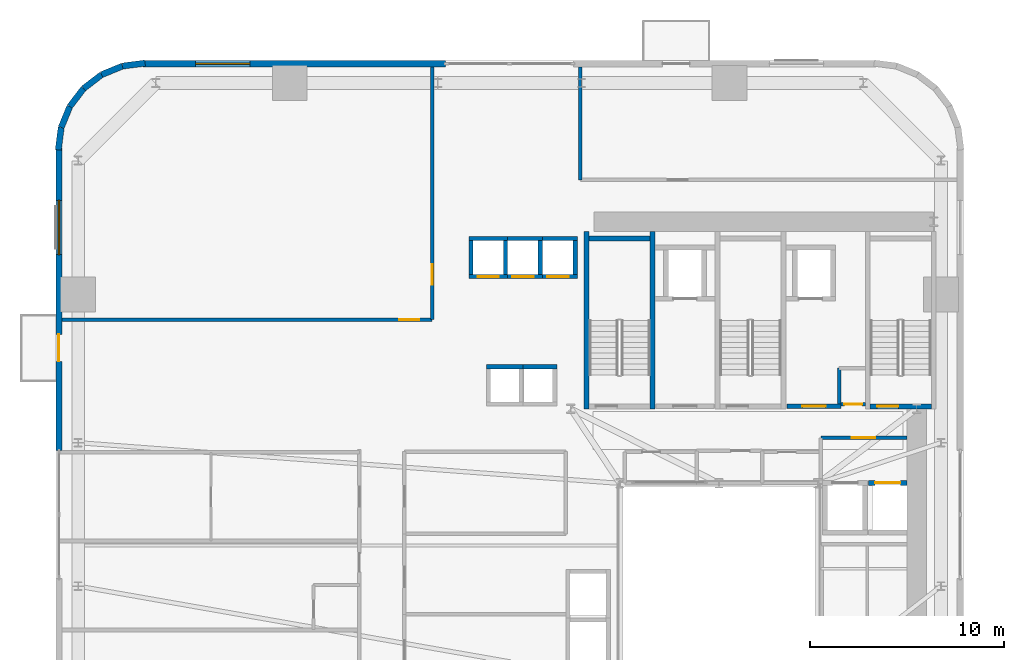
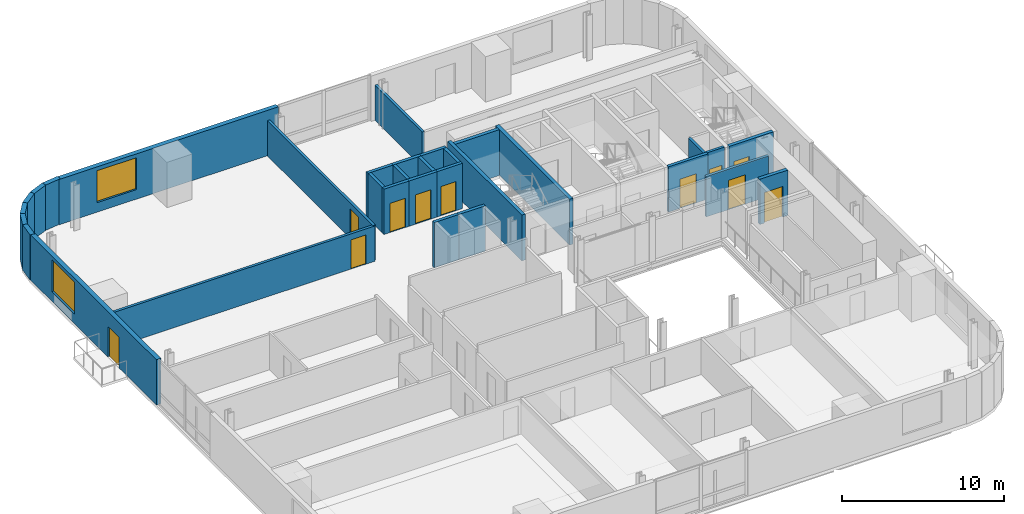
# One storey, part 8 of 13: 32 walls, 11 doors, 2 windows, 13 openings.
"""IFC4 building model written with IfcOpenShell, lengths in metres."""

import ifcopenshell
import ifcopenshell.guid

model = None  # the IFC model being written
_history = None  # IfcOwnerHistory: only IFC2X3 demands one
_inside = {}  # id of a spatial element -> (the spatial element, [elements in it])
_under = {}  # id of a project, library or spatial element -> (it, [spatial elements below it])
_declared = {}  # id of a project -> (the project, [libraries it declares])
_typed = {}  # id of a type object -> (the type object, [elements of that type])
_made_of = {}  # id of a material, layer set ... -> (it, [elements and type objects made of it])


def new_model(schema):
    """Start an empty IFC model of exactly this schema.

    Asked for "IFC4X3", IfcOpenShell would pick the latest addendum, in which some entities
    have other attributes; the version numbers below select the first issue.
    IFC2X3 requires an IfcOwnerHistory on every rooted entity: one is made here for all.
    """
    global model, _history
    if schema == "IFC4X3":
        model = ifcopenshell.file(schema_version=(4, 3, 0, 0))
    else:
        model = ifcopenshell.file(schema=schema)
    _inside.clear()
    _under.clear()
    _declared.clear()
    _typed.clear()
    _made_of.clear()
    _history = None
    if model.schema == "IFC2X3":
        org = make("IfcOrganization", Name="unknown")
        user = make(
            "IfcPersonAndOrganization",
            ThePerson=make("IfcPerson", FamilyName="unknown"),
            TheOrganization=org,
        )
        app = make(
            "IfcApplication",
            ApplicationDeveloper=org,
            Version="unknown",
            ApplicationFullName="unknown",
            ApplicationIdentifier="unknown",
        )
        _history = make(
            "IfcOwnerHistory",
            OwningUser=user,
            OwningApplication=app,
            ChangeAction="ADDED",
            CreationDate=0,
        )
    return model


def make(cls, **values):
    """One entity of the class cls with the attributes given. An attribute that is None is left unset."""
    return model.create_entity(
        cls, **{name: value for name, value in values.items() if value is not None}
    )


def rooted(cls, **values):
    """An entity with a GlobalId (a new one), such as an element, a storey or a relation."""
    return make(cls, GlobalId=ifcopenshell.guid.new(), OwnerHistory=_history, **values)


def si_unit(unit_type, name, prefix=None):
    """IfcSIUnit, for example si_unit("LENGTHUNIT", "METRE", prefix="MILLI")."""
    return make("IfcSIUnit", UnitType=unit_type, Prefix=prefix, Name=name)


def assignment(units):
    """IfcUnitAssignment: the units of a project."""
    return None if units is None else make("IfcUnitAssignment", Units=units)


def point(xyz):
    """IfcCartesianPoint."""
    return None if xyz is None else make("IfcCartesianPoint", Coordinates=xyz)


def direction(xyz):
    """IfcDirection."""
    return None if xyz is None else make("IfcDirection", DirectionRatios=xyz)


def frame(location, z_axis=None, x_axis=None):
    """IfcAxis2Placement3D, a coordinate frame: its origin and axes. An axis left out is left unset."""
    return make(
        "IfcAxis2Placement3D",
        Location=point(location),
        Axis=direction(z_axis),
        RefDirection=direction(x_axis),
    )


def frame_2d(location, x_axis=None):
    """IfcAxis2Placement2D, a coordinate frame in the plane: its origin and x axis."""
    return make(
        "IfcAxis2Placement2D", Location=point(location), RefDirection=direction(x_axis)
    )


def origin():
    """The frame at (0, 0, 0) with its axes left unset."""
    return frame((0.0, 0.0, 0.0))


def place(relative_to, where):
    """IfcLocalPlacement: puts the frame where relative to a parent placement (None: the world)."""
    return make(
        "IfcLocalPlacement", PlacementRelTo=relative_to, RelativePlacement=where
    )


def context(
    kind, dimensions, precision=None, world=None, true_north=None, identifier=None
):
    """IfcGeometricRepresentationContext, for example the 3D "Model" context."""
    return make(
        "IfcGeometricRepresentationContext",
        ContextIdentifier=identifier,
        ContextType=kind,
        CoordinateSpaceDimension=dimensions,
        Precision=precision,
        WorldCoordinateSystem=world,
        TrueNorth=true_north,
    )


def subcontext(parent, identifier, kind, view, scale=None):
    """IfcGeometricRepresentationSubContext, for example "Body" below "Model"."""
    return make(
        "IfcGeometricRepresentationSubContext",
        ContextIdentifier=identifier,
        ContextType=kind,
        ParentContext=parent,
        TargetScale=scale,
        TargetView=view,
    )


def project(units=None, contexts=None):
    """IfcProject with its units and contexts."""
    return rooted(
        "IfcProject",
        Name="project",
        RepresentationContexts=contexts,
        UnitsInContext=assignment(units),
    )


def spatial(cls, under=None, at=None, **own):
    """A site, building, storey or space (cls), placed at a placement, below another one or the project."""
    s = rooted(cls, ObjectPlacement=at, **own)
    if under is not None:
        _under.setdefault(under.id(), (under, []))[1].append(s)
    return s


def profile(cls, at=None, kind="AREA", **sizes):
    """A parametric profile (cls). Its sizes go by their IFC names, for example OverallWidth=200.0."""
    return make(cls, ProfileType=kind, Position=at, **sizes)


def rectangle(**sizes):
    """IfcRectangleProfileDef."""
    return profile("IfcRectangleProfileDef", **sizes)


def extrude(swept, where, along, depth):
    """IfcExtrudedAreaSolid: the profile swept, set in the frame where, extruded along a direction by depth."""
    return make(
        "IfcExtrudedAreaSolid",
        SweptArea=swept,
        Position=where,
        ExtrudedDirection=direction(along),
        Depth=depth,
    )


def shape(context_of_items, identifier, shape_type, items):
    """IfcShapeRepresentation: the items that make up one representation, for example the "Body"."""
    return make(
        "IfcShapeRepresentation",
        ContextOfItems=context_of_items,
        RepresentationIdentifier=identifier,
        RepresentationType=shape_type,
        Items=items,
    )


def source(mapping_origin, context_of_items, identifier, shape_type, items):
    """IfcRepresentationMap: a shape defined once, which mapped items show again and again."""
    return make(
        "IfcRepresentationMap",
        MappingOrigin=mapping_origin,
        MappedRepresentation=shape(context_of_items, identifier, shape_type, items),
    )


def transform(
    local_origin,
    x_axis=None,
    y_axis=None,
    z_axis=None,
    scale=None,
    scale2=None,
    scale3=None,
    uniform=True,
):
    """IfcCartesianTransformationOperator3D, or its non-uniform kind. x_axis, y_axis, z_axis: its Axis1, 2, 3."""
    if uniform:
        return make(
            "IfcCartesianTransformationOperator3D",
            Axis1=direction(x_axis),
            Axis2=direction(y_axis),
            LocalOrigin=point(local_origin),
            Scale=scale,
            Axis3=direction(z_axis),
        )
    return make(
        "IfcCartesianTransformationOperator3DnonUniform",
        Axis1=direction(x_axis),
        Axis2=direction(y_axis),
        LocalOrigin=point(local_origin),
        Scale=scale,
        Axis3=direction(z_axis),
        Scale2=scale2,
        Scale3=scale3,
    )


def mapped(mapping_source, mapping_target):
    """IfcMappedItem: shows the shape of a source again, moved by a transform."""
    return make(
        "IfcMappedItem", MappingSource=mapping_source, MappingTarget=mapping_target
    )


def material(Name=None, Category=None):
    """IfcMaterial."""
    return make("IfcMaterial", Name=Name, Category=Category)


def layer(
    of_material, thickness, ventilated=None, Name=None, Category=None, Priority=None
):
    """IfcMaterialLayer: one layer of a wall or slab, of a material (None: an air gap)."""
    return make(
        "IfcMaterialLayer",
        Material=of_material,
        LayerThickness=thickness,
        IsVentilated=ventilated,
        Name=Name,
        Category=Category,
        Priority=Priority,
    )


def layer_set(layers, Name=None):
    """IfcMaterialLayerSet."""
    return make("IfcMaterialLayerSet", MaterialLayers=layers, LayerSetName=Name)


def made_of(thing, what):
    """Note that an element or type object is made of a material, layer set ...; save() writes the relation."""
    if what is not None:
        _made_of.setdefault(what.id(), (what, []))[1].append(thing)
    return thing


def type_object(cls, material=None, **own):
    """A type object (cls), such as IfcWallType, which elements share."""
    return made_of(rooted(cls, **own), material)


def element(
    cls,
    number,
    at=None,
    inside=None,
    cuts=None,
    type_object=None,
    material=None,
    context=None,
    identifier="Body",
    shape_type=None,
    held_by="IfcProductDefinitionShape",
    body=None,
    shapes=None,
    **own,
):
    """One element of the class cls, such as IfcWall. Its Tag is "e" and its number.

    at: its placement. inside: the storey or other place that contains it. cuts: it is an
    opening in that element (IfcRelVoidsElement). A single representation is given by context,
    identifier, shape_type and body (its items); several are given by shapes. held_by: the class
    of the entity that holds the representations. save() writes the other relations.
    """
    e = rooted(cls, Tag="e%d" % number, ObjectPlacement=at, **own)
    if body is not None:
        shapes = [shape(context, identifier, shape_type, body)]
    if shapes is not None:
        e.Representation = make(held_by, Representations=shapes)
    if inside is not None:
        _inside.setdefault(inside.id(), (inside, []))[1].append(e)
    if cuts is not None:
        rooted(
            "IfcRelVoidsElement", RelatingBuildingElement=cuts, RelatedOpeningElement=e
        )
    if type_object is not None:
        _typed.setdefault(type_object.id(), (type_object, []))[1].append(e)
    return made_of(e, material)


def fill(opening, filler):
    """IfcRelFillsElement: the door or window that sits in an opening."""
    return rooted(
        "IfcRelFillsElement",
        RelatingOpeningElement=opening,
        RelatedBuildingElement=filler,
    )


def aggregate(whole, parts):
    """IfcRelAggregates: a whole, such as a stair, and the parts it consists of."""
    return rooted("IfcRelAggregates", RelatingObject=whole, RelatedObjects=parts)


def save(model, path):
    """Write the relations noted so far, then the file.

    IfcRelAggregates (storeys below a building ...), IfcRelContainedInSpatialStructure (elements
    in a storey), IfcRelDefinesByType, IfcRelAssociatesMaterial and IfcRelDeclares: one each for
    every whole, place, type object, material and project.
    """
    for whole, parts in _under.values():
        aggregate(whole, parts)
    for where, things in _inside.values():
        rooted(
            "IfcRelContainedInSpatialStructure",
            RelatedElements=things,
            RelatingStructure=where,
        )
    for kind, things in _typed.values():
        rooted("IfcRelDefinesByType", RelatedObjects=things, RelatingType=kind)
    for what, things in _made_of.values():
        rooted("IfcRelAssociatesMaterial", RelatedObjects=things, RelatingMaterial=what)
    for by, libraries in _declared.values():
        rooted("IfcRelDeclares", RelatingContext=by, RelatedDefinitions=libraries)
    model.write(path)


model = new_model("IFC4")

# Units and contexts
model_context = context("Model", 3, precision=1e-05, world=origin(), true_north=direction((0.0, 1.0)))
body_context = subcontext(model_context, "Body", "Model", "MODEL_VIEW")
ifc_project = project(units=[si_unit("LENGTHUNIT", "METRE"), si_unit("AREAUNIT", "SQUARE_METRE"), si_unit("VOLUMEUNIT", "CUBIC_METRE"), si_unit("PLANEANGLEUNIT", "RADIAN"), si_unit("MASSUNIT", "GRAM", prefix="KILO")], contexts=[model_context])

# Site, building, storey
site_placement = place(None, origin())
site = spatial("IfcSite", under=ifc_project, at=site_placement, CompositionType="ELEMENT")
building_placement = place(site_placement, origin())
building = spatial("IfcBuilding", under=site, at=building_placement, Name="Vardaveli Station Tower", CompositionType="ELEMENT")
storey_placement = place(building_placement, frame((0.0, 0.0, 34.89990234375)))
storey = spatial("IfcBuildingStorey", under=building, at=storey_placement, Name="L08", CompositionType="ELEMENT", Elevation=34.89990234375)

# Wall, opening, window
ifc_material_1 = material(Name="Precast concrete C45/55", Category="concrete")
ifc_layer_1 = layer(ifc_material_1, 0.320068359375, Name="Precast concrete C45/55")
ifc_layer_set_1 = layer_set([ifc_layer_1], Name="Precast concrete C45/55")
wall_type_1 = type_object("IfcWallType", Name="WAL-EXT-STONE-320", PredefinedType="SOLIDWALL", material=ifc_layer_set_1)
shared_shape_1 = source(origin(), body_context, "Body", "SweptSolid", [
    extrude(rectangle(XDim=15.599853515625, YDim=0.320068359375, at=frame_2d((7.7998046875, 0.0))), origin(), (0.0, 0.0, 1.0), 3.41015625),
])
wall_1_placement = place(storey_placement, frame((22.199951171875, 48.43994140625, 0.0), z_axis=(0.0, 0.0, 1.0), x_axis=(-1.0, 0.0, 0.0)))
wall_1 = element("IfcWall", 1, at=wall_1_placement, inside=storey, type_object=wall_type_1, Name="EW-L08-N2", PredefinedType="SOLIDWALL", context=body_context, shape_type="MappedRepresentation", body=[
    mapped(shared_shape_1, transform((0.0, 0.0, 0.0), scale=1.0)),
])
shared_shape_2 = source(origin(), body_context, "Body", "SweptSolid", [
    extrude(rectangle(XDim=2.800048828125, YDim=2.39990234375, at=frame_2d((1.39990234375, 1.199951171875))), frame((0.0, 0.169921875, 0.0), z_axis=(0.0, -1.0, 0.0), x_axis=(1.0, 0.0, 0.0)), (0.0, 0.0, 1.0), 0.340087890625),
])
opening_1_placement = place(wall_1_placement, frame((10.094970703125, 0.0, 0.719970703125)))
opening_1 = element("IfcOpeningElement", 2, at=opening_1_placement, cuts=wall_1, Name="Opening W-04", PredefinedType="OPENING", context=body_context, shape_type="MappedRepresentation", body=[
    mapped(shared_shape_2, transform((0.0, 0.0, 0.0), scale=1.0)),
])
ifc_material_2 = material(Name="Low-E solar-control glass", Category="glass")
window_type = type_object("IfcWindowType", Name="WIN-SUITE-2800x2400", PartitioningType="SINGLE_PANEL", PredefinedType="WINDOW", material=ifc_material_2)
shared_shape_3 = source(origin(), body_context, "Body", "SweptSolid", [
    extrude(rectangle(XDim=2.800048828125, YDim=2.39990234375, at=frame_2d((1.39990234375, 1.199951171875))), frame((0.0, 0.030029296875, 0.0), z_axis=(0.0, -1.0, 0.0), x_axis=(1.0, 0.0, 0.0)), (0.0, 0.0, 1.0), 0.06005859375),
])
window_1_placement = place(opening_1_placement, origin())
window_1 = element("IfcWindow", 3, at=window_1_placement, inside=storey, type_object=window_type, Name="WN-L08-N2", OverallHeight=2.39990234375, OverallWidth=2.800048828125, PartitioningType="SINGLE_PANEL", PredefinedType="WINDOW", context=body_context, shape_type="MappedRepresentation", body=[
    mapped(shared_shape_3, transform((0.0, 0.0, 0.0), scale=1.0)),
])
fill(opening_1, window_1)

# Wall, openings, door, window
shared_shape_4 = source(origin(), body_context, "Body", "SweptSolid", [
    extrude(rectangle(XDim=15.60009765625, YDim=0.320068359375, at=frame_2d((7.800048828125, 0.0))), origin(), (0.0, 0.0, 1.0), 3.41015625),
])
wall_2_placement = place(storey_placement, frame((2.260009765625, 44.10009765625, 0.0), z_axis=(0.0, 0.0, 1.0), x_axis=(0.0, -1.0, 0.0)))
wall_2 = element("IfcWall", 4, at=wall_2_placement, inside=storey, type_object=wall_type_1, Name="EW-L08-W1", PredefinedType="SOLIDWALL", context=body_context, shape_type="MappedRepresentation", body=[
    mapped(shared_shape_4, transform((0.0, 0.0, 0.0), scale=1.0)),
])
shared_shape_5 = source(origin(), body_context, "Body", "SweptSolid", [
    extrude(rectangle(XDim=1.39990234375, YDim=2.300048828125, at=frame_2d((0.699951171875, 1.14990234375))), frame((0.0, 0.169921875, 0.0), z_axis=(0.0, -1.0, 0.0), x_axis=(1.0, 0.0, 0.0)), (0.0, 0.0, 1.0), 0.340087890625),
])
opening_2_placement = place(wall_2_placement, frame((9.6103515625, 0.0, 0.0)))
opening_2 = element("IfcOpeningElement", 5, at=opening_2_placement, cuts=wall_2, Name="Opening D-09", PredefinedType="OPENING", context=body_context, shape_type="MappedRepresentation", body=[
    mapped(shared_shape_5, transform((0.0, 0.0, 0.0), scale=1.0)),
])
opening_3_placement = place(wall_2_placement, frame((2.705078125, 0.0, 0.719970703125)))
opening_3 = element("IfcOpeningElement", 6, at=opening_3_placement, cuts=wall_2, Name="Opening W-04", PredefinedType="OPENING", context=body_context, shape_type="MappedRepresentation", body=[
    mapped(shared_shape_2, transform((0.0, 0.0, 0.0), scale=1.0)),
])
ifc_material_3 = material(Name="Thermally broken aluminium glass", Category="aluminium")
door_type_1 = type_object("IfcDoorType", Name="DR-LOG-1400x2300", OperationType="DOUBLE_DOOR_SLIDING", PredefinedType="DOOR", material=ifc_material_3)
shared_shape_6 = source(origin(), body_context, "Body", "SweptSolid", [
    extrude(rectangle(XDim=1.39990234375, YDim=2.300048828125, at=frame_2d((0.699951171875, 1.14990234375))), frame((0.0, 0.02490234375, 0.0), z_axis=(0.0, -1.0, 0.0), x_axis=(1.0, 0.0, 0.0)), (0.0, 0.0, 1.0), 0.050048828125),
])
door_1_placement = place(opening_2_placement, frame((1.39990234375, 0.0, 0.0), z_axis=(0.0, 0.0, 1.0), x_axis=(-1.0, 0.0, 0.0)))
door_1 = element("IfcDoor", 7, at=door_1_placement, inside=storey, type_object=door_type_1, Name="DLG-L08-W", OperationType="DOUBLE_DOOR_SLIDING", OverallHeight=2.300048828125, OverallWidth=1.39990234375, PredefinedType="DOOR", context=body_context, shape_type="MappedRepresentation", body=[
    mapped(shared_shape_6, transform((0.0, 0.0, 0.0), scale=1.0)),
])
fill(opening_2, door_1)
window_2_placement = place(opening_3_placement, origin())
window_2 = element("IfcWindow", 8, at=window_2_placement, inside=storey, type_object=window_type, Name="WN-L08-W1", OverallHeight=2.39990234375, OverallWidth=2.800048828125, PartitioningType="SINGLE_PANEL", PredefinedType="WINDOW", context=body_context, shape_type="MappedRepresentation", body=[
    mapped(shared_shape_3, transform((0.0, 0.0, 0.0), scale=1.0)),
])
fill(opening_3, window_2)

# Walls
shared_shape_7 = source(origin(), body_context, "Body", "SweptSolid", [
    extrude(rectangle(XDim=1.1689453125, YDim=0.320068359375, at=frame_2d((0.58447265625, 0.0))), origin(), (0.0, 0.0, 1.0), 3.41015625),
])
wall_3_placement = place(storey_placement, frame((3.53125, 47.1689453125, 0.0), z_axis=(0.0, 0.0, 1.0), x_axis=(-0.608387696831, -0.793639975269, 0.0)))
element("IfcWall", 9, at=wall_3_placement, inside=storey, type_object=wall_type_1, Name="EW-L08-CR4-4", PredefinedType="SOLIDWALL", context=body_context, shape_type="MappedRepresentation", body=[
    mapped(shared_shape_7, transform((0.0, 0.0, 0.0), scale=1.0)),
])
shared_shape_8 = source(origin(), body_context, "Body", "SweptSolid", [
    extrude(rectangle(XDim=1.168701171875, YDim=0.320068359375, at=frame_2d((0.58447265625, 0.0))), origin(), (0.0, 0.0, 1.0), 3.41015625),
])
wall_4_placement = place(storey_placement, frame((4.458740234375, 47.8798828125, 0.0), z_axis=(0.0, 0.0, 1.0), x_axis=(-0.793663520347, -0.608356981114, 0.0)))
element("IfcWall", 10, at=wall_4_placement, inside=storey, type_object=wall_type_1, Name="EW-L08-CR4-3", PredefinedType="SOLIDWALL", context=body_context, shape_type="MappedRepresentation", body=[
    mapped(shared_shape_8, transform((0.0, 0.0, 0.0), scale=1.0)),
])
shared_shape_9 = source(origin(), body_context, "Body", "SweptSolid", [
    extrude(rectangle(XDim=1.17041015625, YDim=0.320068359375, at=frame_2d((0.585205078125, 0.0))), origin(), (0.0, 0.0, 1.0), 3.41015625),
])
for number, where, z_axis, x_axis, name in (
    (11, (6.700439453125, 48.4755859375, 0.0), (0.0, 0.0, 1.0), (-0.991735963317, -0.128295670475, 0.0), "EW-L08-CR4-1"),
    (12, (2.37451171875, 45.16015625, 0.0), (0.0, 0.0, 1.0), (-0.128295670475, -0.991735963317, 0.0), "EW-L08-CR4-6"),
):
    element("IfcWall", number, at=place(storey_placement, frame(where, z_axis=z_axis, x_axis=x_axis)), inside=storey, type_object=wall_type_1, Name=name, PredefinedType="SOLIDWALL", context=body_context, shape_type="MappedRepresentation", body=[
        mapped(shared_shape_9, transform((0.0, 0.0, 0.0), scale=1.0)),
    ])
shared_shape_10 = source(origin(), body_context, "Body", "SweptSolid", [
    extrude(rectangle(XDim=1.169189453125, YDim=0.320068359375, at=frame_2d((0.58447265625, 0.0))), origin(), (0.0, 0.0, 1.0), 3.41015625),
])
for number, where, z_axis, x_axis, name in (
    (13, (5.539794921875, 48.325439453125, 0.0), (0.0, 0.0, 1.0), (-0.924552646638, -0.381054331552, 0.0), "EW-L08-CR4-2"),
    (14, (2.820068359375, 46.2412109375, 0.0), (0.0, 0.0, 1.0), (-0.381054331552, -0.924552646638, 0.0), "EW-L08-CR4-5"),
):
    element("IfcWall", number, at=place(storey_placement, frame(where, z_axis=z_axis, x_axis=x_axis)), inside=storey, type_object=wall_type_1, Name=name, PredefinedType="SOLIDWALL", context=body_context, shape_type="MappedRepresentation", body=[
        mapped(shared_shape_10, transform((0.0, 0.0, 0.0), scale=1.0)),
    ])
ifc_material_4 = material(Name="Concrete C40/50", Category="concrete")
ifc_layer_2 = layer(ifc_material_4, 0.25, Name="Concrete C40/50")
ifc_layer_set_2 = layer_set([ifc_layer_2], Name="Concrete C40/50")
wall_type_2 = type_object("IfcWallType", Name="WAL-SHAFT-250", PredefinedType="SOLIDWALL", material=ifc_layer_set_2)
shared_shape_11 = source(origin(), body_context, "Body", "SweptSolid", [
    extrude(rectangle(XDim=9.150146484375, YDim=0.25, at=frame_2d((4.5751953125, 0.0))), origin(), (0.0, 0.0, 1.0), 3.4501953125),
])
for number, where, z_axis, x_axis, name in (
    (15, (29.47509765625, 30.64990234375, 0.0), (0.0, 0.0, 1.0), (0.0, 1.0, 0.0), "W-L08-ST-1W"),
    (16, (32.875, 30.64990234375, 0.0), (0.0, 0.0, 1.0), (0.0, 1.0, 0.0), "W-L08-ST-1E"),
):
    element("IfcWall", number, at=place(storey_placement, frame(where, z_axis=z_axis, x_axis=x_axis)), inside=storey, type_object=wall_type_2, Name=name, PredefinedType="SOLIDWALL", context=body_context, shape_type="MappedRepresentation", body=[
        mapped(shared_shape_11, transform((0.0, 0.0, 0.0), scale=1.0)),
    ])
shared_shape_12 = source(origin(), body_context, "Body", "SweptSolid", [
    extrude(rectangle(XDim=3.14990234375, YDim=0.25, at=frame_2d((1.574951171875, 0.0))), origin(), (0.0, 0.0, 1.0), 3.4501953125),
])
wall_5_placement = place(storey_placement, frame((29.60009765625, 39.425048828125, 0.0), z_axis=(0.0, 0.0, 1.0), x_axis=(1.0, 0.0, 0.0)))
element("IfcWall", 17, at=wall_5_placement, inside=storey, type_object=wall_type_2, Name="W-L08-ST-1N", PredefinedType="SOLIDWALL", context=body_context, shape_type="MappedRepresentation", body=[
    mapped(shared_shape_12, transform((0.0, 0.0, 0.0), scale=1.0)),
])

# Wall, opening, door
wall_6_placement = place(storey_placement, frame((44.10009765625, 30.77490234375, 0.0), z_axis=(0.0, 0.0, 1.0), x_axis=(1.0, 0.0, 0.0)))
wall_6 = element("IfcWall", 18, at=wall_6_placement, inside=storey, type_object=wall_type_2, Name="W-L08-ST-3S", PredefinedType="SOLIDWALL", context=body_context, shape_type="MappedRepresentation", body=[
    mapped(shared_shape_12, transform((0.0, 0.0, 0.0), scale=1.0)),
])
shared_shape_13 = source(origin(), body_context, "Body", "SweptSolid", [
    extrude(rectangle(XDim=1.10009765625, YDim=2.199951171875, at=frame_2d((0.550048828125, 1.10009765625))), frame((0.0, 0.135009765625, 0.0), z_axis=(0.0, -1.0, 0.0), x_axis=(1.0, 0.0, 0.0)), (0.0, 0.0, 1.0), 0.27001953125),
])
opening_4_placement = place(wall_6_placement, frame((0.35009765625, 0.0, 0.0)))
opening_4 = element("IfcOpeningElement", 19, at=opening_4_placement, cuts=wall_6, Name="Opening D-04", PredefinedType="OPENING", context=body_context, shape_type="MappedRepresentation", body=[
    mapped(shared_shape_13, transform((0.0, 0.0, 0.0), scale=1.0)),
])
ifc_material_5 = material(Name="Steel smokeproof fire doorset", Category="steel")
door_type_2 = type_object("IfcDoorType", Name="DR-ST-1100x2200", OperationType="NOTDEFINED", PredefinedType="DOOR", material=ifc_material_5)
shared_shape_14 = source(origin(), body_context, "Body", "SweptSolid", [
    extrude(rectangle(XDim=1.10009765625, YDim=2.199951171875, at=frame_2d((0.550048828125, 1.10009765625))), frame((0.0, 0.02490234375, 0.0), z_axis=(0.0, -1.0, 0.0), x_axis=(1.0, 0.0, 0.0)), (0.0, 0.0, 1.0), 0.050048828125),
])
door_2_placement = place(opening_4_placement, origin())
door_2 = element("IfcDoor", 20, at=door_2_placement, inside=storey, type_object=door_type_2, Name="DST-3-L08", OperationType="SINGLE_SWING_LEFT", OverallHeight=2.199951171875, OverallWidth=1.10009765625, PredefinedType="DOOR", context=body_context, shape_type="MappedRepresentation", body=[
    mapped(shared_shape_14, transform((0.0, 0.0, 0.0), scale=1.0)),
])
fill(opening_4, door_2)

ifc_layer_3 = layer(ifc_material_4, 0.219970703125, Name="Concrete C40/50")
ifc_layer_set_3 = layer_set([ifc_layer_3], Name="Concrete C40/50")
wall_type_3 = type_object("IfcWallType", Name="WAL-FFLOBBY-220", PredefinedType="SOLIDWALL", material=ifc_layer_set_3)
shared_shape_15 = source(origin(), body_context, "Body", "SweptSolid", [
    extrude(rectangle(XDim=2.800048828125, YDim=0.219970703125, at=frame_2d((1.39990234375, 0.0))), origin(), (0.0, 0.0, 1.0), 3.41015625),
])
wall_7_placement = place(storey_placement, frame((39.800048828125, 30.780029296875, 0.0), z_axis=(0.0, 0.0, 1.0), x_axis=(1.0, 0.0, 0.0)))
wall_7 = element("IfcWall", 21, at=wall_7_placement, inside=storey, type_object=wall_type_3, Name="W-L08-FFL2S", PredefinedType="SOLIDWALL", context=body_context, shape_type="MappedRepresentation", body=[
    mapped(shared_shape_15, transform((0.0, 0.0, 0.0), scale=1.0)),
])
shared_shape_16 = source(origin(), body_context, "Body", "SweptSolid", [
    extrude(rectangle(XDim=1.199951171875, YDim=2.199951171875, at=frame_2d((0.60009765625, 1.10009765625))), frame((0.0, 0.1201171875, 0.0), z_axis=(0.0, -1.0, 0.0), x_axis=(1.0, 0.0, 0.0)), (0.0, 0.0, 1.0), 0.239990234375),
])
opening_5_placement = place(wall_7_placement, frame((0.800048828125, 0.0, 0.0)))
opening_5 = element("IfcOpeningElement", 22, at=opening_5_placement, cuts=wall_7, Name="Opening D-03", PredefinedType="OPENING", context=body_context, shape_type="MappedRepresentation", body=[
    mapped(shared_shape_16, transform((0.0, 0.0, 0.0), scale=1.0)),
])
door_type_3 = type_object("IfcDoorType", Name="DR-FFL-1200x2200", OperationType="NOTDEFINED", PredefinedType="DOOR", material=ifc_material_5)
shared_shape_17 = source(origin(), body_context, "Body", "SweptSolid", [
    extrude(rectangle(XDim=1.199951171875, YDim=2.199951171875, at=frame_2d((0.60009765625, 1.10009765625))), frame((0.0, 0.02490234375, 0.0), z_axis=(0.0, -1.0, 0.0), x_axis=(1.0, 0.0, 0.0)), (0.0, 0.0, 1.0), 0.050048828125),
])
door_3_placement = place(opening_5_placement, origin())
door_3 = element("IfcDoor", 23, at=door_3_placement, inside=storey, type_object=door_type_3, Name="DFFL2-L08", OperationType="SINGLE_SWING_RIGHT", OverallHeight=2.199951171875, OverallWidth=1.199951171875, PredefinedType="DOOR", context=body_context, shape_type="MappedRepresentation", body=[
    mapped(shared_shape_17, transform((0.0, 0.0, 0.0), scale=1.0)),
])
fill(opening_5, door_3)

shared_shape_18 = source(origin(), body_context, "Body", "SweptSolid", [
    extrude(rectangle(XDim=1.989990234375, YDim=0.219970703125, at=frame_2d((0.9951171875, 0.0))), origin(), (0.0, 0.0, 1.0), 3.41015625),
])
wall_8_placement = place(storey_placement, frame((23.405029296875, 37.465087890625, 0.0), z_axis=(0.0, 0.0, 1.0), x_axis=(1.0, 0.0, 0.0)))
wall_8 = element("IfcWall", 24, at=wall_8_placement, inside=storey, type_object=wall_type_3, Name="SHW-HL1-01-L08-S", PredefinedType="SOLIDWALL", context=body_context, shape_type="MappedRepresentation", body=[
    mapped(shared_shape_18, transform((0.0, 0.0, 0.0), scale=1.0)),
])
shared_shape_19 = source(origin(), body_context, "Body", "SweptSolid", [
    extrude(rectangle(XDim=1.10009765625, YDim=2.199951171875, at=frame_2d((0.550048828125, 1.10009765625))), frame((0.0, 0.1201171875, 0.0), z_axis=(0.0, -1.0, 0.0), x_axis=(1.0, 0.0, 0.0)), (0.0, 0.0, 1.0), 0.239990234375),
])
opening_6_placement = place(wall_8_placement, frame((0.445068359375, 0.0, 0.0)))
opening_6 = element("IfcOpeningElement", 25, at=opening_6_placement, cuts=wall_8, Name="Opening LD-01", PredefinedType="OPENING", context=body_context, shape_type="MappedRepresentation", body=[
    mapped(shared_shape_19, transform((0.0, 0.0, 0.0), scale=1.0)),
])
ifc_material_6 = material(Name="Brushed stainless steel", Category="steel")
door_type_4 = type_object("IfcDoorType", Name="DR-LD-1100x2200", OperationType="DOUBLE_DOOR_SLIDING", PredefinedType="DOOR", material=ifc_material_6)
door_4_placement = place(opening_6_placement, origin())
door_4 = element("IfcDoor", 26, at=door_4_placement, inside=storey, type_object=door_type_4, Name="LD-HL1-01-L08", OperationType="DOUBLE_DOOR_SLIDING", OverallHeight=2.199951171875, OverallWidth=1.10009765625, PredefinedType="DOOR", context=body_context, shape_type="MappedRepresentation", body=[
    mapped(shared_shape_14, transform((0.0, 0.0, 0.0), scale=1.0)),
])
fill(opening_6, door_4)

# Wall
wall_9_placement = place(storey_placement, frame((23.405029296875, 39.43505859375, 0.0), z_axis=(0.0, 0.0, 1.0), x_axis=(1.0, 0.0, 0.0)))
element("IfcWall", 27, at=wall_9_placement, inside=storey, type_object=wall_type_3, Name="SHW-HL1-01-L08-N", PredefinedType="SOLIDWALL", context=body_context, shape_type="MappedRepresentation", body=[
    mapped(shared_shape_18, transform((0.0, 0.0, 0.0), scale=1.0)),
])

# Wall, opening, door
wall_10_placement = place(storey_placement, frame((25.205078125, 37.465087890625, 0.0), z_axis=(0.0, 0.0, 1.0), x_axis=(1.0, 0.0, 0.0)))
wall_10 = element("IfcWall", 28, at=wall_10_placement, inside=storey, type_object=wall_type_3, Name="SHW-HL1-02-L08-S", PredefinedType="SOLIDWALL", context=body_context, shape_type="MappedRepresentation", body=[
    mapped(shared_shape_18, transform((0.0, 0.0, 0.0), scale=1.0)),
])
opening_7_placement = place(wall_10_placement, frame((0.445068359375, 0.0, 0.0)))
opening_7 = element("IfcOpeningElement", 29, at=opening_7_placement, cuts=wall_10, Name="Opening LD-01", PredefinedType="OPENING", context=body_context, shape_type="MappedRepresentation", body=[
    mapped(shared_shape_19, transform((0.0, 0.0, 0.0), scale=1.0)),
])
door_5_placement = place(opening_7_placement, origin())
door_5 = element("IfcDoor", 30, at=door_5_placement, inside=storey, type_object=door_type_4, Name="LD-HL1-02-L08", OperationType="DOUBLE_DOOR_SLIDING", OverallHeight=2.199951171875, OverallWidth=1.10009765625, PredefinedType="DOOR", context=body_context, shape_type="MappedRepresentation", body=[
    mapped(shared_shape_14, transform((0.0, 0.0, 0.0), scale=1.0)),
])
fill(opening_7, door_5)

# Walls
wall_11_placement = place(storey_placement, frame((25.205078125, 39.43505859375, 0.0), z_axis=(0.0, 0.0, 1.0), x_axis=(1.0, 0.0, 0.0)))
element("IfcWall", 31, at=wall_11_placement, inside=storey, type_object=wall_type_3, Name="SHW-HL1-02-L08-N", PredefinedType="SOLIDWALL", context=body_context, shape_type="MappedRepresentation", body=[
    mapped(shared_shape_18, transform((0.0, 0.0, 0.0), scale=1.0)),
])
shared_shape_20 = source(origin(), body_context, "Body", "SweptSolid", [
    extrude(rectangle(XDim=1.75, YDim=0.219970703125, at=frame_2d((0.875, 0.0))), origin(), (0.0, 0.0, 1.0), 3.41015625),
])
for number, where, z_axis, x_axis, name in (
    (32, (23.514892578125, 37.574951171875, 0.0), (0.0, 0.0, 1.0), (0.0, 1.0, 0.0), "SHW-HL1-01-L08-W"),
    (33, (25.284912109375, 37.574951171875, 0.0), (0.0, 0.0, 1.0), (0.0, 1.0, 0.0), "SHW-HL1-01-L08-E"),
    (34, (27.0849609375, 37.574951171875, 0.0), (0.0, 0.0, 1.0), (0.0, 1.0, 0.0), "SHW-HL1-02-L08-E"),
    (35, (28.885009765625, 37.574951171875, 0.0), (0.0, 0.0, 1.0), (0.0, 1.0, 0.0), "SHW-HL1-03-L08-E"),
):
    element("IfcWall", number, at=place(storey_placement, frame(where, z_axis=z_axis, x_axis=x_axis)), inside=storey, type_object=wall_type_3, Name=name, PredefinedType="SOLIDWALL", context=body_context, shape_type="MappedRepresentation", body=[
        mapped(shared_shape_20, transform((0.0, 0.0, 0.0), scale=1.0)),
    ])

# Wall, opening, door
shared_shape_21 = source(origin(), body_context, "Body", "SweptSolid", [
    extrude(rectangle(XDim=1.990234375, YDim=0.219970703125, at=frame_2d((0.9951171875, 0.0))), origin(), (0.0, 0.0, 1.0), 3.41015625),
])
wall_12_placement = place(storey_placement, frame((27.0048828125, 37.465087890625, 0.0), z_axis=(0.0, 0.0, 1.0), x_axis=(1.0, 0.0, 0.0)))
wall_12 = element("IfcWall", 36, at=wall_12_placement, inside=storey, type_object=wall_type_3, Name="SHW-HL1-03-L08-S", PredefinedType="SOLIDWALL", context=body_context, shape_type="MappedRepresentation", body=[
    mapped(shared_shape_21, transform((0.0, 0.0, 0.0), scale=1.0)),
])
opening_8_placement = place(wall_12_placement, frame((0.445068359375, 0.0, 0.0)))
opening_8 = element("IfcOpeningElement", 37, at=opening_8_placement, cuts=wall_12, Name="Opening LD-01", PredefinedType="OPENING", context=body_context, shape_type="MappedRepresentation", body=[
    mapped(shared_shape_19, transform((0.0, 0.0, 0.0), scale=1.0)),
])
door_6_placement = place(opening_8_placement, origin())
door_6 = element("IfcDoor", 38, at=door_6_placement, inside=storey, type_object=door_type_4, Name="LD-HL1-03-L08", OperationType="DOUBLE_DOOR_SLIDING", OverallHeight=2.199951171875, OverallWidth=1.10009765625, PredefinedType="DOOR", context=body_context, shape_type="MappedRepresentation", body=[
    mapped(shared_shape_14, transform((0.0, 0.0, 0.0), scale=1.0)),
])
fill(opening_8, door_6)

# Walls
wall_13_placement = place(storey_placement, frame((27.0048828125, 39.43505859375, 0.0), z_axis=(0.0, 0.0, 1.0), x_axis=(1.0, 0.0, 0.0)))
element("IfcWall", 39, at=wall_13_placement, inside=storey, type_object=wall_type_3, Name="SHW-HL1-03-L08-N", PredefinedType="SOLIDWALL", context=body_context, shape_type="MappedRepresentation", body=[
    mapped(shared_shape_21, transform((0.0, 0.0, 0.0), scale=1.0)),
])
shared_shape_22 = source(origin(), body_context, "Body", "SweptSolid", [
    extrude(rectangle(XDim=1.89013671875, YDim=0.219970703125, at=frame_2d((0.945068359375, 0.0))), origin(), (0.0, 0.0, 1.0), 3.41015625),
])
for number, where, z_axis, x_axis, name in (
    (40, (24.304931640625, 32.81005859375, 0.0), (0.0, 0.0, 1.0), (1.0, 0.0, 0.0), "SHW-SHU-01-L08-N"),
    (41, (26.054931640625, 32.81005859375, 0.0), (0.0, 0.0, 1.0), (1.0, 0.0, 0.0), "SHW-SHU-02-L08-N"),
):
    element("IfcWall", number, at=place(storey_placement, frame(where, z_axis=z_axis, x_axis=x_axis)), inside=storey, type_object=wall_type_3, Name=name, PredefinedType="SOLIDWALL", context=body_context, shape_type="MappedRepresentation", body=[
        mapped(shared_shape_22, transform((0.0, 0.0, 0.0), scale=1.0)),
    ])

# Wall, opening, door
shared_shape_23 = source(origin(), body_context, "Body", "SweptSolid", [
    extrude(rectangle(XDim=2.0, YDim=0.25, at=frame_2d((1.0, 0.0))), origin(), (0.0, 0.0, 1.0), 3.41015625),
])
wall_14_placement = place(storey_placement, frame((44.0, 26.824951171875, 0.0), z_axis=(0.0, 0.0, 1.0), x_axis=(1.0, 0.0, 0.0)))
wall_14 = element("IfcWall", 42, at=wall_14_placement, inside=storey, type_object=wall_type_2, Name="SHW-SRV-02-L08-N", PredefinedType="SOLIDWALL", context=body_context, shape_type="MappedRepresentation", body=[
    mapped(shared_shape_23, transform((0.0, 0.0, 0.0), scale=1.0)),
])
shared_shape_24 = source(origin(), body_context, "Body", "SweptSolid", [
    extrude(rectangle(XDim=1.300048828125, YDim=2.300048828125, at=frame_2d((0.64990234375, 1.14990234375))), frame((0.0, 0.135009765625, 0.0), z_axis=(0.0, -1.0, 0.0), x_axis=(1.0, 0.0, 0.0)), (0.0, 0.0, 1.0), 0.27001953125),
])
opening_9_placement = place(wall_14_placement, frame((0.35009765625, 0.0, 0.0)))
opening_9 = element("IfcOpeningElement", 43, at=opening_9_placement, cuts=wall_14, Name="Opening LD-03", PredefinedType="OPENING", context=body_context, shape_type="MappedRepresentation", body=[
    mapped(shared_shape_24, transform((0.0, 0.0, 0.0), scale=1.0)),
])
door_type_5 = type_object("IfcDoorType", Name="DR-LD-1300x2300", OperationType="DOUBLE_DOOR_SLIDING", PredefinedType="DOOR", material=ifc_material_6)
shared_shape_25 = source(origin(), body_context, "Body", "SweptSolid", [
    extrude(rectangle(XDim=1.300048828125, YDim=2.300048828125, at=frame_2d((0.64990234375, 1.14990234375))), frame((0.0, 0.02490234375, 0.0), z_axis=(0.0, -1.0, 0.0), x_axis=(1.0, 0.0, 0.0)), (0.0, 0.0, 1.0), 0.050048828125),
])
door_7_placement = place(opening_9_placement, origin())
door_7 = element("IfcDoor", 44, at=door_7_placement, inside=storey, type_object=door_type_5, Name="LD-SRV-02-L08", OperationType="DOUBLE_DOOR_SLIDING", OverallHeight=2.300048828125, OverallWidth=1.300048828125, PredefinedType="DOOR", context=body_context, shape_type="MappedRepresentation", body=[
    mapped(shared_shape_25, transform((0.0, 0.0, 0.0), scale=1.0)),
])
fill(opening_9, door_7)

ifc_material_7 = material(Name="Fire-rated gypsum stud partition")
ifc_layer_4 = layer(ifc_material_7, 0.179931640625, Name="Fire-rated gypsum stud partition")
ifc_layer_set_4 = layer_set([ifc_layer_4], Name="Fire-rated gypsum stud partition")
wall_type_4 = type_object("IfcWallType", Name="WAL-CORR-180", PredefinedType="PARTITIONING", material=ifc_layer_set_4)
shared_shape_26 = source(origin(), body_context, "Body", "SweptSolid", [
    extrude(rectangle(XDim=4.447998046875, YDim=0.179931640625, at=frame_2d((2.22412109375, 0.0))), origin(), (0.0, 0.0, 1.0), 3.0419921875),
])
wall_15_placement = place(storey_placement, frame((41.550048828125, 29.14990234375, 0.0), z_axis=(0.0, 0.0, 1.0), x_axis=(1.0, 0.0, 0.0)))
wall_15 = element("IfcWall", 45, at=wall_15_placement, inside=storey, type_object=wall_type_4, Name="W-L08-SVFN", PredefinedType="PARTITIONING", context=body_context, shape_type="MappedRepresentation", body=[
    mapped(shared_shape_26, transform((0.0, 0.0, 0.0), scale=1.0)),
])
shared_shape_27 = source(origin(), body_context, "Body", "SweptSolid", [
    extrude(rectangle(XDim=1.199951171875, YDim=2.199951171875, at=frame_2d((0.60009765625, 1.10009765625))), frame((0.0, 0.10009765625, 0.0), z_axis=(0.0, -1.0, 0.0), x_axis=(1.0, 0.0, 0.0)), (0.0, 0.0, 1.0), 0.199951171875),
])
opening_10_placement = place(wall_15_placement, frame((1.60009765625, 0.0, 0.0)))
opening_10 = element("IfcOpeningElement", 46, at=opening_10_placement, cuts=wall_15, Name="Opening D-03", PredefinedType="OPENING", context=body_context, shape_type="MappedRepresentation", body=[
    mapped(shared_shape_27, transform((0.0, 0.0, 0.0), scale=1.0)),
])
door_8_placement = place(opening_10_placement, origin())
door_8 = element("IfcDoor", 47, at=door_8_placement, inside=storey, type_object=door_type_3, Name="D-L08-SVF", OperationType="SINGLE_SWING_RIGHT", OverallHeight=2.199951171875, OverallWidth=1.199951171875, PredefinedType="DOOR", context=body_context, shape_type="MappedRepresentation", body=[
    mapped(shared_shape_17, transform((0.0, 0.0, 0.0), scale=1.0)),
])
fill(opening_10, door_8)

shared_shape_28 = source(origin(), body_context, "Body", "SweptSolid", [
    extrude(rectangle(XDim=19.077880859375, YDim=0.179931640625, at=frame_2d((9.5390625, 0.0))), origin(), (0.0, 0.0, 1.0), 2.652099609375),
])
wall_16_placement = place(storey_placement, frame((2.422119140625, 35.25, 0.0), z_axis=(0.0, 0.0, 1.0), x_axis=(1.0, 0.0, 0.0)))
wall_16 = element("IfcWall", 48, at=wall_16_placement, inside=storey, type_object=wall_type_4, Name="W-L08-CNWS", PredefinedType="PARTITIONING", context=body_context, shape_type="MappedRepresentation", body=[
    mapped(shared_shape_28, transform((0.0, 0.0, 0.0), scale=1.0)),
])
shared_shape_29 = source(origin(), body_context, "Body", "SweptSolid", [
    extrude(rectangle(XDim=1.050048828125, YDim=2.199951171875, at=frame_2d((0.52490234375, 1.10009765625))), frame((0.0, 0.10009765625, 0.0), z_axis=(0.0, -1.0, 0.0), x_axis=(1.0, 0.0, 0.0)), (0.0, 0.0, 1.0), 0.199951171875),
])
opening_11_placement = place(wall_16_placement, frame((17.3779296875, 0.0, 0.0)))
opening_11 = element("IfcOpeningElement", 49, at=opening_11_placement, cuts=wall_16, Name="Opening D-05", PredefinedType="OPENING", context=body_context, shape_type="MappedRepresentation", body=[
    mapped(shared_shape_29, transform((0.0, 0.0, 0.0), scale=1.0)),
])
ifc_material_8 = material(Name="Walnut veneer acoustic fire door")
door_type_6 = type_object("IfcDoorType", Name="DR-SUITE-1050x2200", OperationType="NOTDEFINED", PredefinedType="DOOR", material=ifc_material_8)
shared_shape_30 = source(origin(), body_context, "Body", "SweptSolid", [
    extrude(rectangle(XDim=1.050048828125, YDim=2.199951171875, at=frame_2d((0.52490234375, 1.10009765625))), frame((0.0, 0.02490234375, 0.0), z_axis=(0.0, -1.0, 0.0), x_axis=(1.0, 0.0, 0.0)), (0.0, 0.0, 1.0), 0.050048828125),
])
door_9_placement = place(opening_11_placement, origin())
door_9 = element("IfcDoor", 50, at=door_9_placement, inside=storey, type_object=door_type_6, Name="D-L08-GNW1", OperationType="SINGLE_SWING_RIGHT", OverallHeight=2.199951171875, OverallWidth=1.050048828125, PredefinedType="DOOR", context=body_context, shape_type="MappedRepresentation", body=[
    mapped(shared_shape_30, transform((0.0, 0.0, 0.0), scale=1.0)),
])
fill(opening_11, door_9)

shared_shape_31 = source(origin(), body_context, "Body", "SweptSolid", [
    extrude(rectangle(XDim=13.028076171875, YDim=0.179931640625, at=frame_2d((6.51416015625, 0.0))), origin(), (0.0, 0.0, 1.0), 2.652099609375),
])
wall_17_placement = place(storey_placement, frame((21.5, 35.25, 0.0), z_axis=(0.0, 0.0, 1.0), x_axis=(0.0, 1.0, 0.0)))
wall_17 = element("IfcWall", 51, at=wall_17_placement, inside=storey, type_object=wall_type_4, Name="W-L08-CNWE", PredefinedType="PARTITIONING", context=body_context, shape_type="MappedRepresentation", body=[
    mapped(shared_shape_31, transform((0.0, 0.0, 0.0), scale=1.0)),
])
opening_12_placement = place(wall_17_placement, frame((1.800048828125, 0.0, 0.0)))
opening_12 = element("IfcOpeningElement", 52, at=opening_12_placement, cuts=wall_17, Name="Opening D-05", PredefinedType="OPENING", context=body_context, shape_type="MappedRepresentation", body=[
    mapped(shared_shape_29, transform((0.0, 0.0, 0.0), scale=1.0)),
])
door_10_placement = place(opening_12_placement, origin())
door_10 = element("IfcDoor", 53, at=door_10_placement, inside=storey, type_object=door_type_6, Name="D-L08-GNWE", OperationType="SINGLE_SWING_RIGHT", OverallHeight=2.199951171875, OverallWidth=1.050048828125, PredefinedType="DOOR", context=body_context, shape_type="MappedRepresentation", body=[
    mapped(shared_shape_30, transform((0.0, 0.0, 0.0), scale=1.0)),
])
fill(opening_12, door_10)

# Wall
shared_shape_32 = source(origin(), body_context, "Body", "SweptSolid", [
    extrude(rectangle(XDim=5.828125, YDim=0.179931640625, at=frame_2d((2.9140625, 0.0))), origin(), (0.0, 0.0, 1.0), 2.652099609375),
])
wall_18_placement = place(storey_placement, frame((29.14990234375, 42.449951171875, 0.0), z_axis=(0.0, 0.0, 1.0), x_axis=(0.0, 1.0, 0.0)))
element("IfcWall", 54, at=wall_18_placement, inside=storey, type_object=wall_type_4, Name="W-L08-NPW", PredefinedType="PARTITIONING", context=body_context, shape_type="MappedRepresentation", body=[
    mapped(shared_shape_32, transform((0.0, 0.0, 0.0), scale=1.0)),
])

# Wall, opening, door
shared_shape_33 = source(origin(), body_context, "Body", "SweptSolid", [
    extrude(rectangle(XDim=1.247802734375, YDim=0.179931640625, at=frame_2d((0.6240234375, 0.0))), origin(), (0.0, 0.0, 1.0), 3.41015625),
])
wall_19_placement = place(storey_placement, frame((42.60009765625, 30.8798828125, 0.0), z_axis=(0.0, 0.0, 1.0), x_axis=(1.0, 0.0, 0.0)))
wall_19 = element("IfcWall", 55, at=wall_19_placement, inside=storey, type_object=wall_type_4, Name="W-L08-CBS2A-S", PredefinedType="PARTITIONING", context=body_context, shape_type="MappedRepresentation", body=[
    mapped(shared_shape_33, transform((0.0, 0.0, 0.0), scale=1.0)),
])
shared_shape_34 = source(origin(), body_context, "Body", "SweptSolid", [
    extrude(rectangle(XDim=0.919921875, YDim=2.10009765625, at=frame_2d((0.4599609375, 1.050048828125))), frame((0.0, 0.10009765625, 0.0), z_axis=(0.0, -1.0, 0.0), x_axis=(1.0, 0.0, 0.0)), (0.0, 0.0, 1.0), 0.199951171875),
])
opening_13_placement = place(wall_19_placement, frame((0.1640625, 0.0, 0.0)))
opening_13 = element("IfcOpeningElement", 56, at=opening_13_placement, cuts=wall_19, Name="Opening D-07", PredefinedType="OPENING", context=body_context, shape_type="MappedRepresentation", body=[
    mapped(shared_shape_34, transform((0.0, 0.0, 0.0), scale=1.0)),
])
ifc_material_9 = material(Name="Moisture-resistant hardwood door", Category="wood")
door_type_7 = type_object("IfcDoorType", Name="DR-WC-920x2100", OperationType="NOTDEFINED", PredefinedType="DOOR", material=ifc_material_9)
shared_shape_35 = source(origin(), body_context, "Body", "SweptSolid", [
    extrude(rectangle(XDim=0.919921875, YDim=2.10009765625, at=frame_2d((0.4599609375, 1.050048828125))), frame((0.0, 0.02490234375, 0.0), z_axis=(0.0, -1.0, 0.0), x_axis=(1.0, 0.0, 0.0)), (0.0, 0.0, 1.0), 0.050048828125),
])
door_11_placement = place(opening_13_placement, origin())
door_11 = element("IfcDoor", 57, at=door_11_placement, inside=storey, type_object=door_type_7, Name="D-L08-CBS1", OperationType="SINGLE_SWING_LEFT", OverallHeight=2.10009765625, OverallWidth=0.919921875, PredefinedType="DOOR", context=body_context, shape_type="MappedRepresentation", body=[
    mapped(shared_shape_35, transform((0.0, 0.0, 0.0), scale=1.0)),
])
fill(opening_13, door_11)

# Wall
shared_shape_36 = source(origin(), body_context, "Body", "SweptSolid", [
    extrude(rectangle(XDim=1.85791015625, YDim=0.179931640625, at=frame_2d((0.928955078125, 0.0))), origin(), (0.0, 0.0, 1.0), 3.41015625),
])
wall_20_placement = place(storey_placement, frame((42.5, 30.89208984375, 0.0), z_axis=(0.0, 0.0, 1.0), x_axis=(0.0, 1.0, 0.0)))
element("IfcWall", 58, at=wall_20_placement, inside=storey, type_object=wall_type_4, Name="W-L08-CBS2A-W", PredefinedType="PARTITIONING", context=body_context, shape_type="MappedRepresentation", body=[
    mapped(shared_shape_36, transform((0.0, 0.0, 0.0), scale=1.0)),
])

save(model, "model.ifc")
